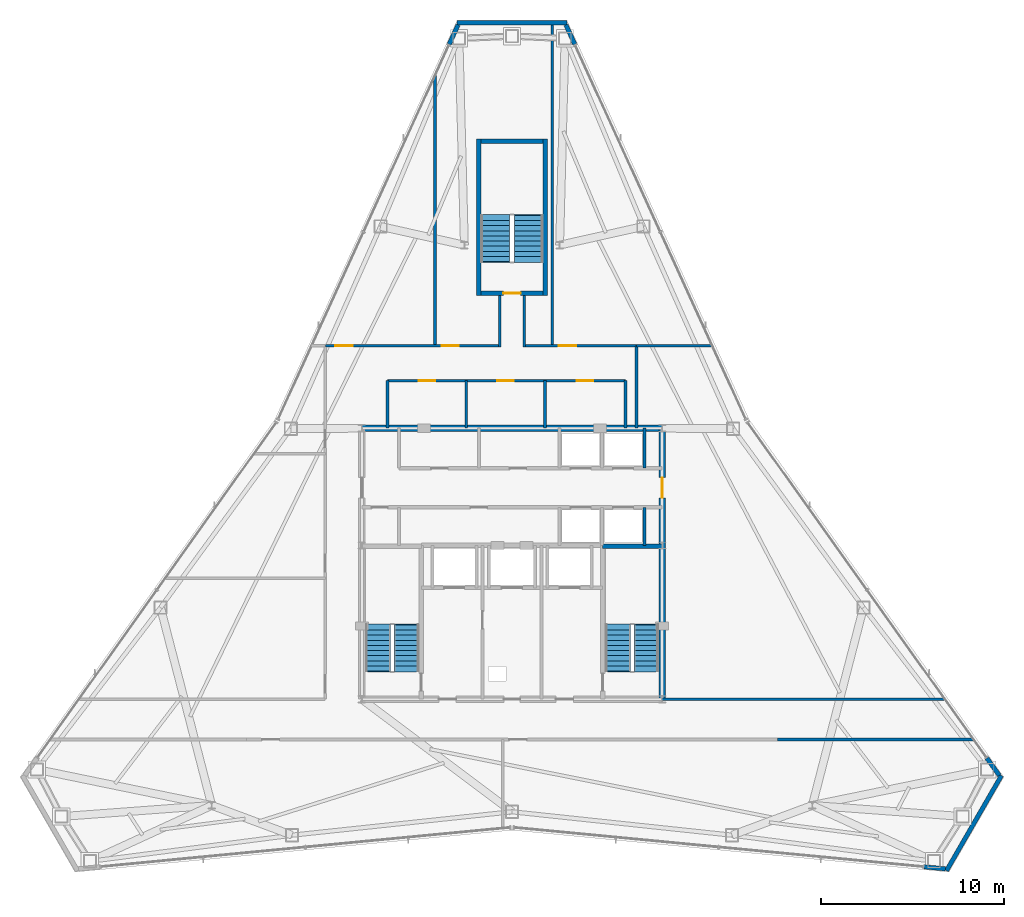
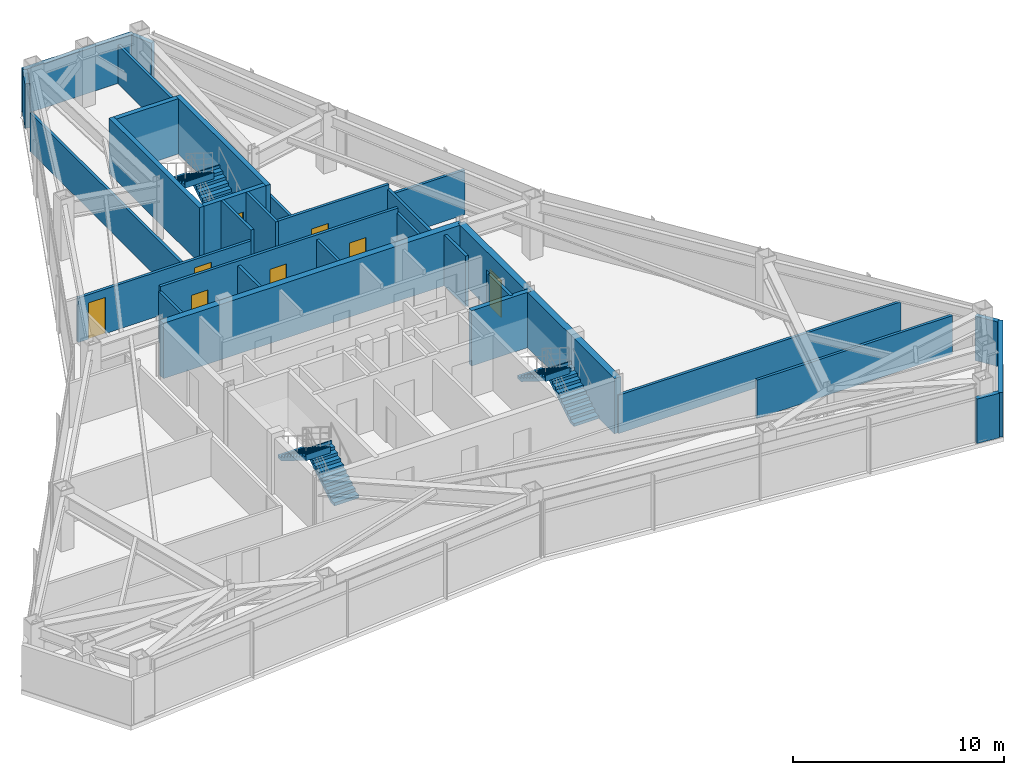
# One storey, part 10 of 11: 30 walls, 8 doors, 6 stair flights, 8 openings, 3 elements without a shape of their own.
"""IFC4 building model written with IfcOpenShell, lengths in metres."""

from ifc_helpers import new_model, si_unit, direction, frame, frame_2d, origin, place, context, subcontext, project, spatial, polyline, rectangle, outline, extrude, material, layer, layer_set, type_object, element, fill, aggregate, save


model = new_model("IFC4")

# Units and contexts
model_context = context("Model", 3, precision=1e-05, world=origin(), true_north=direction((0.0, 1.0)))
body_context = subcontext(model_context, "Body", "Model", "MODEL_VIEW")
ifc_project = project(units=[si_unit("LENGTHUNIT", "METRE"), si_unit("AREAUNIT", "SQUARE_METRE"), si_unit("VOLUMEUNIT", "CUBIC_METRE"), si_unit("PLANEANGLEUNIT", "RADIAN"), si_unit("MASSUNIT", "GRAM", prefix="KILO")], contexts=[model_context])

# Site, building, storey
site_placement = place(None, origin())
site = spatial("IfcSite", under=ifc_project, at=site_placement, CompositionType="ELEMENT")
building_placement = place(site_placement, origin())
building = spatial("IfcBuilding", under=site, at=building_placement, Name="Varakhsha Concourse Tower", CompositionType="ELEMENT")
storey_placement = place(building_placement, frame((0.0, 0.0, 246.89990234375)))
storey = spatial("IfcBuildingStorey", under=building, at=storey_placement, Name="L70", CompositionType="ELEMENT", Elevation=246.89990234375)

# Wall
ifc_material_1 = material(Name="Concrete fc 65 MPa", Category="concrete")
ifc_layer_1 = layer(ifc_material_1, 0.35009765625, Name="WL-CORE-350")
ifc_layer_set_1 = layer_set([ifc_layer_1], Name="Concrete fc 65 MPa")
wall_type_1 = type_object("IfcWallType", Name="WL-CORE-350", PredefinedType="SHEAR", material=ifc_layer_set_1)
wall_1_placement = place(storey_placement, frame((31.800048828125, 31.199951171875, 0.0), z_axis=(0.0, 0.0, 1.0), x_axis=(1.0, 0.0, 0.0)))
element("IfcWall", 1, at=wall_1_placement, inside=storey, type_object=wall_type_1, Name="L70 Wall CWALL-N-L70", PredefinedType="SHEAR", context=body_context, shape_type="SweptSolid", body=[
    extrude(rectangle(XDim=16.39990234375, YDim=0.35009765625, at=frame_2d((8.199951171875, 0.0))), origin(), (0.0, 0.0, 1.0), 3.2001953125),
])

# Wall, opening, door
wall_2_placement = place(storey_placement, frame((48.199951171875, 16.39990234375, 0.0), z_axis=(0.0, 0.0, 1.0), x_axis=(0.0, 1.0, 0.0)))
wall_2 = element("IfcWall", 2, at=wall_2_placement, inside=storey, type_object=wall_type_1, Name="L70 Wall CWALL-E-L70", PredefinedType="SHEAR", context=body_context, shape_type="SweptSolid", body=[
    extrude(rectangle(XDim=14.800048828125, YDim=0.35009765625, at=frame_2d((7.39990234375, 0.0))), origin(), (0.0, 0.0, 1.0), 3.2001953125),
])
opening_1_placement = place(wall_2_placement, frame((11.0, 0.0, 0.0)))
opening_1 = element("IfcOpeningElement", 3, at=opening_1_placement, cuts=wall_2, Name="Opening DL-01", PredefinedType="OPENING", context=body_context, shape_type="SweptSolid", body=[
    extrude(rectangle(XDim=1.10009765625, YDim=2.14990234375, at=frame_2d((0.550048828125, 1.074951171875))), frame((0.0, 0.18505859375, 0.0), z_axis=(0.0, -1.0, 0.0), x_axis=(1.0, 0.0, 0.0)), (0.0, 0.0, 1.0), 0.3701171875),
])
ifc_material_2 = material(Name="Anodised Bronze Architectural Aluminium AA 6063-T6", Category="aluminium")
door_type_1 = type_object("IfcDoorType", Name="DR-LOB-1100", OperationType="NOTDEFINED", PredefinedType="DOOR", material=ifc_material_2)
door_1_placement = place(opening_1_placement, origin())
door_1 = element("IfcDoor", 4, at=door_1_placement, inside=storey, type_object=door_type_1, Name="L70 Lift Lobby East Concourse Door", OperationType="SINGLE_SWING_RIGHT", OverallHeight=2.14990234375, OverallWidth=1.10009765625, PredefinedType="DOOR", context=body_context, shape_type="SweptSolid", body=[
    extrude(rectangle(XDim=1.10009765625, YDim=2.14990234375, at=frame_2d((0.550048828125, 1.074951171875))), frame((0.0, 0.02490234375, 0.0), z_axis=(0.0, -1.0, 0.0), x_axis=(1.0, 0.0, 0.0)), (0.0, 0.0, 1.0), 0.050048828125),
])
fill(opening_1, door_1)

# Walls
ifc_material_3 = material(Name="Concrete fc 45 MPa", Category="concrete")
ifc_layer_2 = layer(ifc_material_3, 0.239990234375, Name="WL-EXT-CRN-240")
ifc_layer_set_2 = layer_set([ifc_layer_2], Name="Concrete fc 45 MPa")
wall_type_2 = type_object("IfcWallType", Name="WL-EXT-CRN-240", PredefinedType="SHEAR", material=ifc_layer_set_2)
wall_3_placement = place(storey_placement, frame((37.0, 53.337158203125, 0.0), z_axis=(0.0, 0.0, 1.0), x_axis=(1.0, 0.0, 0.0)))
element("IfcWall", 5, at=wall_3_placement, inside=storey, type_object=wall_type_2, Name="L70 Chamfer Wind-Corner Insulated Wall F1", PredefinedType="SHEAR", context=body_context, shape_type="SweptSolid", body=[
    extrude(rectangle(XDim=6.0, YDim=0.239990234375, at=frame_2d((3.0, 0.0))), origin(), (0.0, 0.0, 1.0), 2.572998046875),
])
wall_4_placement = place(storey_placement, frame((37.05419921875, 53.23046875, 0.0), z_axis=(0.0, 0.0, 1.0), x_axis=(-0.415141848551, -0.909756695816, 0.0)))
element("IfcWall", 6, at=wall_4_placement, inside=storey, type_object=wall_type_2, Name="L70 Wind-Corner Shoulder Wall F2", PredefinedType="SHEAR", context=body_context, shape_type="SweptSolid", body=[
    extrude(rectangle(XDim=1.167236328125, YDim=0.239990234375, at=frame_2d((0.58349609375, 0.0))), origin(), (0.0, 0.0, 1.0), 2.572998046875),
])
wall_5_placement = place(storey_placement, frame((62.50634765625, 7.244873046875, 0.0), z_axis=(0.0, 0.0, 1.0), x_axis=(0.995442685073, -0.095361736217, 0.0)))
element("IfcWall", 7, at=wall_5_placement, inside=storey, type_object=wall_type_2, Name="L70 Wind-Corner Shoulder Wall F6", PredefinedType="SHEAR", context=body_context, shape_type="SweptSolid", body=[
    extrude(rectangle(XDim=1.16748046875, YDim=0.239990234375, at=frame_2d((0.583740234375, 0.0))), origin(), (0.0, 0.0, 1.0), 2.572998046875),
])
wall_6_placement = place(storey_placement, frame((66.7333984375, 12.2294921875, 0.0), z_axis=(0.0, 0.0, 1.0), x_axis=(-0.499990139034, -0.866031096941, 0.0)))
element("IfcWall", 8, at=wall_6_placement, inside=storey, type_object=wall_type_2, Name="L70 Chamfer Wind-Corner Insulated Wall F7", PredefinedType="SHEAR", context=body_context, shape_type="SweptSolid", body=[
    extrude(rectangle(XDim=6.0, YDim=0.239990234375, at=frame_2d((3.0, 0.0))), origin(), (0.0, 0.0, 1.0), 2.572998046875),
])
wall_7_placement = place(storey_placement, frame((66.614013671875, 12.23583984375, 0.0), z_axis=(0.0, 0.0, 1.0), x_axis=(-0.580347612152, 0.814368865484, 0.0)))
element("IfcWall", 9, at=wall_7_placement, inside=storey, type_object=wall_type_2, Name="L70 Wind-Corner Shoulder Wall F8", PredefinedType="SHEAR", context=body_context, shape_type="SweptSolid", body=[
    extrude(rectangle(XDim=1.16748046875, YDim=0.239990234375, at=frame_2d((0.583740234375, 0.0))), origin(), (0.0, 0.0, 1.0), 2.572998046875),
])
wall_8_placement = place(storey_placement, frame((43.430419921875, 52.16845703125, 0.0), z_axis=(0.0, 0.0, 1.0), x_axis=(-0.415141848551, 0.909756695816, 0.0)))
element("IfcWall", 10, at=wall_8_placement, inside=storey, type_object=wall_type_2, Name="L70 Wind-Corner Shoulder Wall F9", PredefinedType="SHEAR", context=body_context, shape_type="SweptSolid", body=[
    extrude(rectangle(XDim=1.167236328125, YDim=0.239990234375, at=frame_2d((0.58349609375, 0.0))), origin(), (0.0, 0.0, 1.0), 2.572998046875),
])

# Wall, openings, doors
ifc_material_4 = material(Name="Fire-Rated Type X Gypsum Partition Assembly", Category="gypsum")
ifc_layer_3 = layer(ifc_material_4, 0.14990234375, Name="WL-PART-150")
ifc_layer_set_3 = layer_set([ifc_layer_3], Name="Fire-Rated Type X Gypsum Partition Assembly")
wall_type_3 = type_object("IfcWallType", Name="WL-PART-150", PredefinedType="PARTITIONING", material=ifc_layer_set_3)
wall_9_placement = place(storey_placement, frame((33.199951171875, 33.800048828125, 0.0), z_axis=(0.0, 0.0, 1.0), x_axis=(1.0, 0.0, 0.0)))
wall_9 = element("IfcWall", 11, at=wall_9_placement, inside=storey, type_object=wall_type_3, Name="L70 Wall NBOH-N-L70", PredefinedType="PARTITIONING", context=body_context, shape_type="SweptSolid", body=[
    extrude(rectangle(XDim=13.0, YDim=0.14990234375, at=frame_2d((6.5, 0.0))), origin(), (0.0, 0.0, 1.0), 3.2001953125),
])
opening_2_placement = place(wall_9_placement, frame((1.699951171875, 0.0, 0.0)))
opening_2 = element("IfcOpeningElement", 12, at=opening_2_placement, cuts=wall_9, Name="Opening DF-06", PredefinedType="OPENING", context=body_context, shape_type="SweptSolid", body=[
    extrude(rectangle(XDim=0.89990234375, YDim=2.10009765625, at=frame_2d((0.449951171875, 1.050048828125))), frame((0.0, 0.0849609375, 0.0), z_axis=(0.0, -1.0, 0.0), x_axis=(1.0, 0.0, 0.0)), (0.0, 0.0, 1.0), 0.169921875),
])
opening_3_placement = place(wall_9_placement, frame((6.0, 0.0, 0.0)))
opening_3 = element("IfcOpeningElement", 13, at=opening_3_placement, cuts=wall_9, Name="Opening DF-06", PredefinedType="OPENING", context=body_context, shape_type="SweptSolid", body=[
    extrude(rectangle(XDim=0.89990234375, YDim=2.10009765625, at=frame_2d((0.449951171875, 1.050048828125))), frame((0.0, 0.0849609375, 0.0), z_axis=(0.0, -1.0, 0.0), x_axis=(1.0, 0.0, 0.0)), (0.0, 0.0, 1.0), 0.169921875),
])
opening_4_placement = place(wall_9_placement, frame((10.35009765625, 0.0, 0.0)))
opening_4 = element("IfcOpeningElement", 14, at=opening_4_placement, cuts=wall_9, Name="Opening DF-06", PredefinedType="OPENING", context=body_context, shape_type="SweptSolid", body=[
    extrude(rectangle(XDim=0.89990234375, YDim=2.10009765625, at=frame_2d((0.449951171875, 1.050048828125))), frame((0.0, 0.0849609375, 0.0), z_axis=(0.0, -1.0, 0.0), x_axis=(1.0, 0.0, 0.0)), (0.0, 0.0, 1.0), 0.169921875),
])
ifc_material_5 = material(Name="Hollow Galvanised Steel Fire Door Assembly", Category="steel")
door_type_2 = type_object("IfcDoorType", Name="DR-FD60-900", OperationType="NOTDEFINED", PredefinedType="DOOR", material=ifc_material_5)
door_2_placement = place(opening_2_placement, origin())
door_2 = element("IfcDoor", 15, at=door_2_placement, inside=storey, type_object=door_type_2, Name="L70 Men Restroom WC Door", OperationType="SINGLE_SWING_LEFT", OverallHeight=2.10009765625, OverallWidth=0.89990234375, PredefinedType="DOOR", context=body_context, shape_type="SweptSolid", body=[
    extrude(rectangle(XDim=0.89990234375, YDim=2.10009765625, at=frame_2d((0.449951171875, 1.050048828125))), frame((0.0, 0.02490234375, 0.0), z_axis=(0.0, -1.0, 0.0), x_axis=(1.0, 0.0, 0.0)), (0.0, 0.0, 1.0), 0.050048828125),
])
fill(opening_2, door_2)
door_3_placement = place(opening_3_placement, origin())
door_3 = element("IfcDoor", 16, at=door_3_placement, inside=storey, type_object=door_type_2, Name="L70 Women Restroom WC Door", OperationType="SINGLE_SWING_RIGHT", OverallHeight=2.10009765625, OverallWidth=0.89990234375, PredefinedType="DOOR", context=body_context, shape_type="SweptSolid", body=[
    extrude(rectangle(XDim=0.89990234375, YDim=2.10009765625, at=frame_2d((0.449951171875, 1.050048828125))), frame((0.0, 0.02490234375, 0.0), z_axis=(0.0, -1.0, 0.0), x_axis=(1.0, 0.0, 0.0)), (0.0, 0.0, 1.0), 0.050048828125),
])
fill(opening_3, door_3)
door_4_placement = place(opening_4_placement, origin())
door_4 = element("IfcDoor", 17, at=door_4_placement, inside=storey, type_object=door_type_2, Name="L70 Accessible WC Door", OperationType="SINGLE_SWING_LEFT", OverallHeight=2.10009765625, OverallWidth=0.89990234375, PredefinedType="DOOR", context=body_context, shape_type="SweptSolid", body=[
    extrude(rectangle(XDim=0.89990234375, YDim=2.10009765625, at=frame_2d((0.449951171875, 1.050048828125))), frame((0.0, 0.02490234375, 0.0), z_axis=(0.0, -1.0, 0.0), x_axis=(1.0, 0.0, 0.0)), (0.0, 0.0, 1.0), 0.050048828125),
])
fill(opening_4, door_4)

# Walls
for number, where, z_axis, x_axis, name in (
    (18, (33.199951171875, 31.199951171875, 0.0), (0.0, 0.0, 1.0), (0.0, 1.0, 0.0), "L70 Wall NBOH-W-L70"),
    (19, (46.199951171875, 31.199951171875, 0.0), (0.0, 0.0, 1.0), (0.0, 1.0, 0.0), "L70 Wall NBOH-E-L70"),
    (20, (37.5, 31.199951171875, 0.0), (0.0, 0.0, 1.0), (0.0, 1.0, 0.0), "L70 Wall NBOH-D1-L70"),
    (21, (41.800048828125, 31.199951171875, 0.0), (0.0, 0.0, 1.0), (0.0, 1.0, 0.0), "L70 Wall NBOH-D2-L70"),
):
    element("IfcWall", number, at=place(storey_placement, frame(where, z_axis=z_axis, x_axis=x_axis)), inside=storey, type_object=wall_type_3, Name=name, PredefinedType="PARTITIONING", context=body_context, shape_type="SweptSolid", body=[
        extrude(rectangle(XDim=2.60009765625, YDim=0.14990234375, at=frame_2d((1.300048828125, 0.0))), origin(), (0.0, 0.0, 1.0), 2.927978515625),
    ])
wall_10_placement = place(storey_placement, frame((54.5, 14.199951171875, 0.0), z_axis=(0.0, 0.0, 1.0), x_axis=(1.0, 0.0, 0.0)))
element("IfcWall", 22, at=wall_10_placement, inside=storey, type_object=wall_type_3, Name="L70 Wall CRW-SGAL-SE-L70", PredefinedType="PARTITIONING", context=body_context, shape_type="SweptSolid", body=[
    extrude(rectangle(XDim=10.70849609375, YDim=0.14990234375, at=frame_2d((5.354248046875, 0.0))), origin(), (0.0, 0.0, 1.0), 2.215087890625),
])
wall_11_placement = place(storey_placement, frame((48.199951171875, 16.39990234375, 0.0), z_axis=(0.0, 0.0, 1.0), x_axis=(1.0, 0.0, 0.0)))
element("IfcWall", 23, at=wall_11_placement, inside=storey, type_object=wall_type_3, Name="L70 Wall CRW-SGAL-NE-L70", PredefinedType="PARTITIONING", context=body_context, shape_type="SweptSolid", body=[
    extrude(rectangle(XDim=15.44091796875, YDim=0.14990234375, at=frame_2d((7.720458984375, 0.0))), origin(), (0.0, 0.0, 1.0), 2.215087890625),
])

# Wall, openings, doors
wall_12_placement = place(storey_placement, frame((29.800048828125, 35.699951171875, 0.0), z_axis=(0.0, 0.0, 1.0), x_axis=(1.0, 0.0, 0.0)))
wall_12 = element("IfcWall", 24, at=wall_12_placement, inside=storey, type_object=wall_type_3, Name="L70 Wall CRW-N-L70", PredefinedType="PARTITIONING", context=body_context, shape_type="SweptSolid", body=[
    extrude(rectangle(XDim=9.449951171875, YDim=0.14990234375, at=frame_2d((4.72509765625, 0.0))), origin(), (0.0, 0.0, 1.0), 2.578125),
])
opening_5_placement = place(wall_12_placement, frame((0.550048828125, 0.0, 0.0)))
opening_5 = element("IfcOpeningElement", 25, at=opening_5_placement, cuts=wall_12, Name="Opening DF-05", PredefinedType="OPENING", context=body_context, shape_type="SweptSolid", body=[
    extrude(rectangle(XDim=0.949951171875, YDim=2.10009765625, at=frame_2d((0.47509765625, 1.050048828125))), frame((0.0, 0.0849609375, 0.0), z_axis=(0.0, -1.0, 0.0), x_axis=(1.0, 0.0, 0.0)), (0.0, 0.0, 1.0), 0.169921875),
])
opening_6_placement = place(wall_12_placement, frame((6.35009765625, 0.0, 0.0)))
opening_6 = element("IfcOpeningElement", 26, at=opening_6_placement, cuts=wall_12, Name="Opening DF-05", PredefinedType="OPENING", context=body_context, shape_type="SweptSolid", body=[
    extrude(rectangle(XDim=0.949951171875, YDim=2.10009765625, at=frame_2d((0.47509765625, 1.050048828125))), frame((0.0, 0.0849609375, 0.0), z_axis=(0.0, -1.0, 0.0), x_axis=(1.0, 0.0, 0.0)), (0.0, 0.0, 1.0), 0.169921875),
])
door_type_3 = type_object("IfcDoorType", Name="DR-FD60-950", OperationType="NOTDEFINED", PredefinedType="DOOR", material=ifc_material_5)
door_5_placement = place(opening_5_placement, origin())
door_5 = element("IfcDoor", 27, at=door_5_placement, inside=storey, type_object=door_type_3, Name="L70 Mountain View Project Controls Workroom L70-N1 Door", OperationType="SINGLE_SWING_LEFT", OverallHeight=2.10009765625, OverallWidth=0.949951171875, PredefinedType="DOOR", context=body_context, shape_type="SweptSolid", body=[
    extrude(rectangle(XDim=0.949951171875, YDim=2.10009765625, at=frame_2d((0.47509765625, 1.050048828125))), frame((0.0, 0.02490234375, 0.0), z_axis=(0.0, -1.0, 0.0), x_axis=(1.0, 0.0, 0.0)), (0.0, 0.0, 1.0), 0.050048828125),
])
fill(opening_5, door_5)
door_6_placement = place(opening_6_placement, origin())
door_6 = element("IfcDoor", 28, at=door_6_placement, inside=storey, type_object=door_type_3, Name="L70 North Strategic Advisory Office Suite L70-N2 Door", OperationType="SINGLE_SWING_RIGHT", OverallHeight=2.10009765625, OverallWidth=0.949951171875, PredefinedType="DOOR", context=body_context, shape_type="SweptSolid", body=[
    extrude(rectangle(XDim=0.949951171875, YDim=2.10009765625, at=frame_2d((0.47509765625, 1.050048828125))), frame((0.0, 0.02490234375, 0.0), z_axis=(0.0, -1.0, 0.0), x_axis=(1.0, 0.0, 0.0)), (0.0, 0.0, 1.0), 0.050048828125),
])
fill(opening_6, door_6)

# Wall, opening, door
wall_13_placement = place(storey_placement, frame((40.75, 35.699951171875, 0.0), z_axis=(0.0, 0.0, 1.0), x_axis=(1.0, 0.0, 0.0)))
wall_13 = element("IfcWall", 29, at=wall_13_placement, inside=storey, type_object=wall_type_3, Name="L70 Wall CRW-N-L70-B", PredefinedType="PARTITIONING", context=body_context, shape_type="SweptSolid", body=[
    extrude(rectangle(XDim=6.050048828125, YDim=0.14990234375, at=frame_2d((3.02490234375, 0.0))), origin(), (0.0, 0.0, 1.0), 3.2001953125),
])
opening_7_placement = place(wall_13_placement, frame((1.800048828125, 0.0, 0.0)))
opening_7 = element("IfcOpeningElement", 30, at=opening_7_placement, cuts=wall_13, Name="Opening DF-05", PredefinedType="OPENING", context=body_context, shape_type="SweptSolid", body=[
    extrude(rectangle(XDim=0.949951171875, YDim=2.10009765625, at=frame_2d((0.47509765625, 1.050048828125))), frame((0.0, 0.0849609375, 0.0), z_axis=(0.0, -1.0, 0.0), x_axis=(1.0, 0.0, 0.0)), (0.0, 0.0, 1.0), 0.169921875),
])
door_7_placement = place(opening_7_placement, origin())
door_7 = element("IfcDoor", 31, at=door_7_placement, inside=storey, type_object=door_type_3, Name="L70 North Strategic Advisory Office Suite L70-N3 Door", OperationType="SINGLE_SWING_LEFT", OverallHeight=2.10009765625, OverallWidth=0.949951171875, PredefinedType="DOOR", context=body_context, shape_type="SweptSolid", body=[
    extrude(rectangle(XDim=0.949951171875, YDim=2.10009765625, at=frame_2d((0.47509765625, 1.050048828125))), frame((0.0, 0.02490234375, 0.0), z_axis=(0.0, -1.0, 0.0), x_axis=(1.0, 0.0, 0.0)), (0.0, 0.0, 1.0), 0.050048828125),
])
fill(opening_7, door_7)

# Walls
wall_14_placement = place(storey_placement, frame((46.800048828125, 31.199951171875, 0.0), z_axis=(0.0, 0.0, 1.0), x_axis=(0.0, 1.0, 0.0)))
element("IfcWall", 32, at=wall_14_placement, inside=storey, type_object=wall_type_3, Name="L70 Wall CRW-NE-L70", PredefinedType="PARTITIONING", context=body_context, shape_type="SweptSolid", body=[
    extrude(rectangle(XDim=4.5, YDim=0.14990234375, at=frame_2d((2.25, 0.0))), origin(), (0.0, 0.0, 1.0), 2.927978515625),
])
wall_15_placement = place(storey_placement, frame((46.800048828125, 35.699951171875, 0.0), z_axis=(0.0, 0.0, 1.0), x_axis=(1.0, 0.0, 0.0)))
element("IfcWall", 33, at=wall_15_placement, inside=storey, type_object=wall_type_3, Name="L70 Wall ODIV-EBN-L70", PredefinedType="PARTITIONING", context=body_context, shape_type="SweptSolid", body=[
    extrude(rectangle(XDim=4.1396484375, YDim=0.14990234375, at=frame_2d((2.06982421875, 0.0))), origin(), (0.0, 0.0, 1.0), 2.578125),
])
wall_16_placement = place(storey_placement, frame((35.800048828125, 35.699951171875, 0.0), z_axis=(0.0, 0.0, 1.0), x_axis=(0.0, 1.0, 0.0)))
element("IfcWall", 34, at=wall_16_placement, inside=storey, type_object=wall_type_3, Name="L70 Wall ODIV-N1-L70", PredefinedType="PARTITIONING", context=body_context, shape_type="SweptSolid", body=[
    extrude(rectangle(XDim=14.77001953125, YDim=0.14990234375, at=frame_2d((7.385009765625, 0.0))), origin(), (0.0, 0.0, 1.0), 2.215087890625),
])
wall_17_placement = place(storey_placement, frame((42.199951171875, 35.699951171875, 0.0), z_axis=(0.0, 0.0, 1.0), x_axis=(0.0, 1.0, 0.0)))
element("IfcWall", 35, at=wall_17_placement, inside=storey, type_object=wall_type_3, Name="L70 Wall ODIV-N2-L70", PredefinedType="PARTITIONING", context=body_context, shape_type="SweptSolid", body=[
    extrude(rectangle(XDim=17.632080078125, YDim=0.14990234375, at=frame_2d((8.81591796875, 0.0))), origin(), (0.0, 0.0, 1.0), 2.215087890625),
])
for number, where, z_axis, x_axis, name in (
    (36, (39.324951171875, 35.625, 0.0), (0.0, 0.0, 1.0), (0.0, 1.0, 0.0), "L70 Wall STUB-W-L70"),
    (37, (40.675048828125, 35.625, 0.0), (0.0, 0.0, 1.0), (0.0, 1.0, 0.0), "L70 Wall STUB-E-L70"),
):
    element("IfcWall", number, at=place(storey_placement, frame(where, z_axis=z_axis, x_axis=x_axis)), inside=storey, type_object=wall_type_3, Name=name, PredefinedType="PARTITIONING", context=body_context, shape_type="SweptSolid", body=[
        extrude(rectangle(XDim=2.824951171875, YDim=0.14990234375, at=frame_2d((1.41259765625, 0.0))), origin(), (0.0, 0.0, 1.0), 3.2001953125),
    ])
ifc_layer_4 = layer(ifc_material_4, 0.199951171875, Name="WL-SHAFT-220")
ifc_layer_set_4 = layer_set([ifc_layer_4], Name="Fire-Rated Type X Gypsum Partition Assembly")
wall_type_4 = type_object("IfcWallType", Name="WL-SHAFT-220", PredefinedType="SOLIDWALL", material=ifc_layer_set_4)
wall_18_placement = place(storey_placement, frame((47.239990234375, 29.02001953125, 0.0), z_axis=(0.0, 0.0, 1.0), x_axis=(0.0, 1.0, 0.0)))
element("IfcWall", 38, at=wall_18_placement, inside=storey, type_object=wall_type_4, Name="L70 Wall SHW-LF-P10-E-L70", PredefinedType="SOLIDWALL", context=body_context, shape_type="SweptSolid", body=[
    extrude(rectangle(XDim=2.179931640625, YDim=0.159912109375, at=frame_2d((1.08984375, 0.0))), origin(), (0.0, 0.0, 1.0), 2.927978515625),
])
wall_19_placement = place(storey_placement, frame((47.239990234375, 24.800048828125, 0.0), z_axis=(0.0, 0.0, 1.0), x_axis=(0.0, 1.0, 0.0)))
element("IfcWall", 39, at=wall_19_placement, inside=storey, type_object=wall_type_4, Name="L70 Wall SHW-LF-P12-E-L70", PredefinedType="SOLIDWALL", context=body_context, shape_type="SweptSolid", body=[
    extrude(rectangle(XDim=2.079833984375, YDim=0.159912109375, at=frame_2d((1.0400390625, 0.0))), origin(), (0.0, 0.0, 1.0), 3.2001953125),
])
ifc_layer_5 = layer(ifc_material_3, 0.25, Name="WL-STAIR-250")
ifc_layer_set_5 = layer_set([ifc_layer_5], Name="Concrete fc 45 MPa")
wall_type_5 = type_object("IfcWallType", Name="WL-STAIR-250", PredefinedType="SHEAR", material=ifc_layer_set_5)
wall_20_placement = place(storey_placement, frame((44.955078125, 24.7548828125, 0.0), z_axis=(0.0, 0.0, 1.0), x_axis=(1.0, 0.0, 0.0)))
element("IfcWall", 40, at=wall_20_placement, inside=storey, type_object=wall_type_5, Name="L70 Wall SWALL-ST2-N-L70", PredefinedType="SHEAR", context=body_context, shape_type="SweptSolid", body=[
    extrude(rectangle(XDim=3.244873046875, YDim=0.25, at=frame_2d((1.62255859375, 0.0))), origin(), (0.0, 0.0, 1.0), 3.2001953125),
])
for number, where, z_axis, x_axis, name in (
    (41, (38.175048828125, 38.449951171875, 0.0), (0.0, 0.0, 1.0), (0.0, 1.0, 0.0), "L70 Wall SWALL-ST5-W-L70"),
    (42, (41.824951171875, 38.449951171875, 0.0), (0.0, 0.0, 1.0), (0.0, 1.0, 0.0), "L70 Wall SWALL-ST5-E-L70"),
):
    element("IfcWall", number, at=place(storey_placement, frame(where, z_axis=z_axis, x_axis=x_axis)), inside=storey, type_object=wall_type_5, Name=name, PredefinedType="SHEAR", context=body_context, shape_type="SweptSolid", body=[
        extrude(rectangle(XDim=8.550048828125, YDim=0.25, at=frame_2d((4.27490234375, 0.0))), origin(), (0.0, 0.0, 1.0), 3.2001953125),
    ])

# Wall, opening, door
wall_21_placement = place(storey_placement, frame((38.300048828125, 38.574951171875, 0.0), z_axis=(0.0, 0.0, 1.0), x_axis=(1.0, 0.0, 0.0)))
wall_21 = element("IfcWall", 43, at=wall_21_placement, inside=storey, type_object=wall_type_5, Name="L70 Wall SWALL-ST5-S-L70", PredefinedType="SHEAR", context=body_context, shape_type="SweptSolid", body=[
    extrude(rectangle(XDim=3.39990234375, YDim=0.25, at=frame_2d((1.699951171875, 0.0))), origin(), (0.0, 0.0, 1.0), 3.2001953125),
])
opening_8_placement = place(wall_21_placement, frame((1.22509765625, 0.0, 0.0)))
opening_8 = element("IfcOpeningElement", 44, at=opening_8_placement, cuts=wall_21, Name="Opening DF-03", PredefinedType="OPENING", context=body_context, shape_type="SweptSolid", body=[
    extrude(rectangle(XDim=0.949951171875, YDim=2.10009765625, at=frame_2d((0.47509765625, 1.050048828125))), frame((0.0, 0.135009765625, 0.0), z_axis=(0.0, -1.0, 0.0), x_axis=(1.0, 0.0, 0.0)), (0.0, 0.0, 1.0), 0.27001953125),
])
door_type_4 = type_object("IfcDoorType", Name="DR-FD90-950", OperationType="NOTDEFINED", PredefinedType="DOOR", material=ifc_material_5)
door_8_placement = place(opening_8_placement, origin())
door_8 = element("IfcDoor", 45, at=door_8_placement, inside=storey, type_object=door_type_4, Name="L70 Stair ST5 Fire Door", OperationType="SINGLE_SWING_RIGHT", OverallHeight=2.10009765625, OverallWidth=0.949951171875, PredefinedType="DOOR", context=body_context, shape_type="SweptSolid", body=[
    extrude(rectangle(XDim=0.949951171875, YDim=2.10009765625, at=frame_2d((0.47509765625, 1.050048828125))), frame((0.0, 0.02490234375, 0.0), z_axis=(0.0, -1.0, 0.0), x_axis=(1.0, 0.0, 0.0)), (0.0, 0.0, 1.0), 0.050048828125),
])
fill(opening_8, door_8)

# Wall
wall_22_placement = place(storey_placement, frame((38.300048828125, 46.875, 0.0), z_axis=(0.0, 0.0, 1.0), x_axis=(1.0, 0.0, 0.0)))
element("IfcWall", 46, at=wall_22_placement, inside=storey, type_object=wall_type_5, Name="L70 Wall SWALL-ST5-N-L70", PredefinedType="SHEAR", context=body_context, shape_type="SweptSolid", body=[
    extrude(rectangle(XDim=3.39990234375, YDim=0.25, at=frame_2d((1.699951171875, 0.0))), origin(), (0.0, 0.0, 1.0), 3.2001953125),
])

# Stair, stair flights
stair_type_1 = type_object("IfcStairType", Name="ST-DOGLEG-1360", PredefinedType="HALF_TURN_STAIR", material=ifc_material_3)
stair_1_placement = place(storey_placement, origin())
stair_1 = element("IfcStair", 47, at=stair_1_placement, inside=storey, type_object=stair_type_1, Name="L70 Protected Exit Stair ST1", PredefinedType="HALF_TURN_STAIR")
stair_flight_type_1 = type_object("IfcStairFlightType", Name="STF-1360-R1750", PredefinedType="STRAIGHT", material=ifc_material_3)
stair_flight_1_placement = place(storey_placement, frame((34.239990234375, 17.93994140625, 0.0), z_axis=(0.0, 0.0, 1.0), x_axis=(0.0, 1.0, 0.0)))
stair_flight_1 = element("IfcStairFlight", 48, at=stair_flight_1_placement, type_object=stair_flight_type_1, Name="ST1 flight 1", NumberOfRisers=10, NumberOfTreads=9, PredefinedType="STRAIGHT", RiserHeight=0.175, TreadLength=0.28, context=body_context, shape_type="SweptSolid", body=[
    extrude(outline(polyline([(-0.06005859375, 0.0), (-0.06005859375, 0.175048828125), (0.0, 0.175048828125), (0.280029296875, 0.175048828125), (0.280029296875, 0.35009765625), (0.56005859375, 0.35009765625), (0.56005859375, 0.52490234375), (0.840087890625, 0.52490234375), (0.840087890625, 0.699951171875), (1.1201171875, 0.699951171875), (1.1201171875, 0.875), (1.39990234375, 0.875), (1.39990234375, 1.050048828125), (1.679931640625, 1.050048828125), (1.679931640625, 1.22509765625), (1.9599609375, 1.22509765625), (1.9599609375, 1.39990234375), (2.239990234375, 1.39990234375), (2.239990234375, 1.574951171875), (2.52001953125, 1.574951171875), (2.52001953125, 1.75), (2.580078125, 1.75), (2.580078125, 1.398193359375), (2.52001953125, 1.398193359375), (0.28271484375, 0.0), (-0.06005859375, 0.0)])), frame((0.0, 0.68017578125, 0.0), z_axis=(0.0, -1.0, 0.0), x_axis=(1.0, 0.0, 0.0)), (0.0, 0.0, 1.0), 1.360107421875),
])
stair_flight_2_placement = place(storey_placement, frame((32.679931640625, 20.4599609375, 1.75), z_axis=(0.0, 0.0, 1.0), x_axis=(0.0, -1.0, 0.0)))
stair_flight_2 = element("IfcStairFlight", 49, at=stair_flight_2_placement, type_object=stair_flight_type_1, Name="ST1 flight 2", NumberOfRisers=10, NumberOfTreads=9, PredefinedType="STRAIGHT", RiserHeight=0.175, TreadLength=0.28, context=body_context, shape_type="SweptSolid", body=[
    extrude(outline(polyline([(-0.06005859375, 0.0), (-0.06005859375, 0.175048828125), (0.0, 0.175048828125), (0.280029296875, 0.175048828125), (0.280029296875, 0.35009765625), (0.56005859375, 0.35009765625), (0.56005859375, 0.52490234375), (0.840087890625, 0.52490234375), (0.840087890625, 0.699951171875), (1.1201171875, 0.699951171875), (1.1201171875, 0.875), (1.39990234375, 0.875), (1.39990234375, 1.050048828125), (1.679931640625, 1.050048828125), (1.679931640625, 1.22509765625), (1.9599609375, 1.22509765625), (1.9599609375, 1.39990234375), (2.239990234375, 1.39990234375), (2.239990234375, 1.574951171875), (2.52001953125, 1.574951171875), (2.52001953125, 1.75), (2.580078125, 1.75), (2.580078125, 1.398193359375), (2.52001953125, 1.398193359375), (0.28271484375, 0.0), (-0.06005859375, 0.0)])), frame((0.0, 0.68017578125, 0.0), z_axis=(0.0, -1.0, 0.0), x_axis=(1.0, 0.0, 0.0)), (0.0, 0.0, 1.0), 1.360107421875),
])
aggregate(stair_1, [stair_flight_1, stair_flight_2])

stair_2_placement = place(storey_placement, origin())
stair_2 = element("IfcStair", 50, at=stair_2_placement, inside=storey, type_object=stair_type_1, Name="L70 Protected Exit Stair ST2", PredefinedType="HALF_TURN_STAIR")
stair_flight_3_placement = place(storey_placement, frame((47.340087890625, 17.93994140625, 0.0), z_axis=(0.0, 0.0, 1.0), x_axis=(0.0, 1.0, 0.0)))
stair_flight_3 = element("IfcStairFlight", 51, at=stair_flight_3_placement, type_object=stair_flight_type_1, Name="ST2 flight 1", NumberOfRisers=10, NumberOfTreads=9, PredefinedType="STRAIGHT", RiserHeight=0.175, TreadLength=0.28, context=body_context, shape_type="SweptSolid", body=[
    extrude(outline(polyline([(-0.06005859375, 0.0), (-0.06005859375, 0.175048828125), (0.0, 0.175048828125), (0.280029296875, 0.175048828125), (0.280029296875, 0.35009765625), (0.56005859375, 0.35009765625), (0.56005859375, 0.52490234375), (0.840087890625, 0.52490234375), (0.840087890625, 0.699951171875), (1.1201171875, 0.699951171875), (1.1201171875, 0.875), (1.39990234375, 0.875), (1.39990234375, 1.050048828125), (1.679931640625, 1.050048828125), (1.679931640625, 1.22509765625), (1.9599609375, 1.22509765625), (1.9599609375, 1.39990234375), (2.239990234375, 1.39990234375), (2.239990234375, 1.574951171875), (2.52001953125, 1.574951171875), (2.52001953125, 1.75), (2.580078125, 1.75), (2.580078125, 1.398193359375), (2.52001953125, 1.398193359375), (0.28271484375, 0.0), (-0.06005859375, 0.0)])), frame((0.0, 0.68017578125, 0.0), z_axis=(0.0, -1.0, 0.0), x_axis=(1.0, 0.0, 0.0)), (0.0, 0.0, 1.0), 1.360107421875),
])
stair_flight_4_placement = place(storey_placement, frame((45.780029296875, 20.4599609375, 1.75), z_axis=(0.0, 0.0, 1.0), x_axis=(0.0, -1.0, 0.0)))
stair_flight_4 = element("IfcStairFlight", 52, at=stair_flight_4_placement, type_object=stair_flight_type_1, Name="ST2 flight 2", NumberOfRisers=10, NumberOfTreads=9, PredefinedType="STRAIGHT", RiserHeight=0.175, TreadLength=0.28, context=body_context, shape_type="SweptSolid", body=[
    extrude(outline(polyline([(-0.06005859375, 0.0), (-0.06005859375, 0.175048828125), (0.0, 0.175048828125), (0.280029296875, 0.175048828125), (0.280029296875, 0.35009765625), (0.56005859375, 0.35009765625), (0.56005859375, 0.52490234375), (0.840087890625, 0.52490234375), (0.840087890625, 0.699951171875), (1.1201171875, 0.699951171875), (1.1201171875, 0.875), (1.39990234375, 0.875), (1.39990234375, 1.050048828125), (1.679931640625, 1.050048828125), (1.679931640625, 1.22509765625), (1.9599609375, 1.22509765625), (1.9599609375, 1.39990234375), (2.239990234375, 1.39990234375), (2.239990234375, 1.574951171875), (2.52001953125, 1.574951171875), (2.52001953125, 1.75), (2.580078125, 1.75), (2.580078125, 1.398193359375), (2.52001953125, 1.398193359375), (0.28271484375, 0.0), (-0.06005859375, 0.0)])), frame((0.0, 0.68017578125, 0.0), z_axis=(0.0, -1.0, 0.0), x_axis=(1.0, 0.0, 0.0)), (0.0, 0.0, 1.0), 1.360107421875),
])
aggregate(stair_2, [stair_flight_3, stair_flight_4])

stair_type_2 = type_object("IfcStairType", Name="ST-DOGLEG-1600", PredefinedType="HALF_TURN_STAIR", material=ifc_material_3)
stair_3_placement = place(storey_placement, origin())
stair_3 = element("IfcStair", 53, at=stair_3_placement, inside=storey, type_object=stair_type_2, Name="L70 Protected Exit Stair ST5", PredefinedType="HALF_TURN_STAIR")
stair_flight_type_2 = type_object("IfcStairFlightType", Name="STF-1600-R1750", PredefinedType="STRAIGHT", material=ifc_material_3)
stair_flight_5_placement = place(storey_placement, frame((40.89990234375, 40.300048828125, 0.0), z_axis=(0.0, 0.0, 1.0), x_axis=(0.0, 1.0, 0.0)))
stair_flight_5 = element("IfcStairFlight", 54, at=stair_flight_5_placement, type_object=stair_flight_type_2, Name="ST5 flight 1", NumberOfRisers=10, NumberOfTreads=9, PredefinedType="STRAIGHT", RiserHeight=0.175, TreadLength=0.28, context=body_context, shape_type="SweptSolid", body=[
    extrude(outline(polyline([(-0.06005859375, 0.0), (-0.06005859375, 0.175048828125), (0.0, 0.175048828125), (0.280029296875, 0.175048828125), (0.280029296875, 0.35009765625), (0.56005859375, 0.35009765625), (0.56005859375, 0.52490234375), (0.840087890625, 0.52490234375), (0.840087890625, 0.699951171875), (1.1201171875, 0.699951171875), (1.1201171875, 0.875), (1.39990234375, 0.875), (1.39990234375, 1.050048828125), (1.679931640625, 1.050048828125), (1.679931640625, 1.22509765625), (1.9599609375, 1.22509765625), (1.9599609375, 1.39990234375), (2.239990234375, 1.39990234375), (2.239990234375, 1.574951171875), (2.52001953125, 1.574951171875), (2.52001953125, 1.75), (2.580078125, 1.75), (2.580078125, 1.398193359375), (2.52001953125, 1.398193359375), (0.28271484375, 0.0), (-0.06005859375, 0.0)])), frame((0.0, 0.800048828125, 0.0), z_axis=(0.0, -1.0, 0.0), x_axis=(1.0, 0.0, 0.0)), (0.0, 0.0, 1.0), 1.60009765625),
])
stair_flight_6_placement = place(storey_placement, frame((39.10009765625, 42.820068359375, 1.75), z_axis=(0.0, 0.0, 1.0), x_axis=(0.0, -1.0, 0.0)))
stair_flight_6 = element("IfcStairFlight", 55, at=stair_flight_6_placement, type_object=stair_flight_type_2, Name="ST5 flight 2", NumberOfRisers=10, NumberOfTreads=9, PredefinedType="STRAIGHT", RiserHeight=0.175, TreadLength=0.28, context=body_context, shape_type="SweptSolid", body=[
    extrude(outline(polyline([(-0.06005859375, 0.0), (-0.06005859375, 0.175048828125), (0.0, 0.175048828125), (0.280029296875, 0.175048828125), (0.280029296875, 0.35009765625), (0.56005859375, 0.35009765625), (0.56005859375, 0.52490234375), (0.840087890625, 0.52490234375), (0.840087890625, 0.699951171875), (1.1201171875, 0.699951171875), (1.1201171875, 0.875), (1.39990234375, 0.875), (1.39990234375, 1.050048828125), (1.679931640625, 1.050048828125), (1.679931640625, 1.22509765625), (1.9599609375, 1.22509765625), (1.9599609375, 1.39990234375), (2.239990234375, 1.39990234375), (2.239990234375, 1.574951171875), (2.52001953125, 1.574951171875), (2.52001953125, 1.75), (2.580078125, 1.75), (2.580078125, 1.398193359375), (2.52001953125, 1.398193359375), (0.28271484375, 0.0), (-0.06005859375, 0.0)])), frame((0.0, 0.800048828125, 0.0), z_axis=(0.0, -1.0, 0.0), x_axis=(1.0, 0.0, 0.0)), (0.0, 0.0, 1.0), 1.60009765625),
])
aggregate(stair_3, [stair_flight_5, stair_flight_6])

save(model, "model.ifc")
